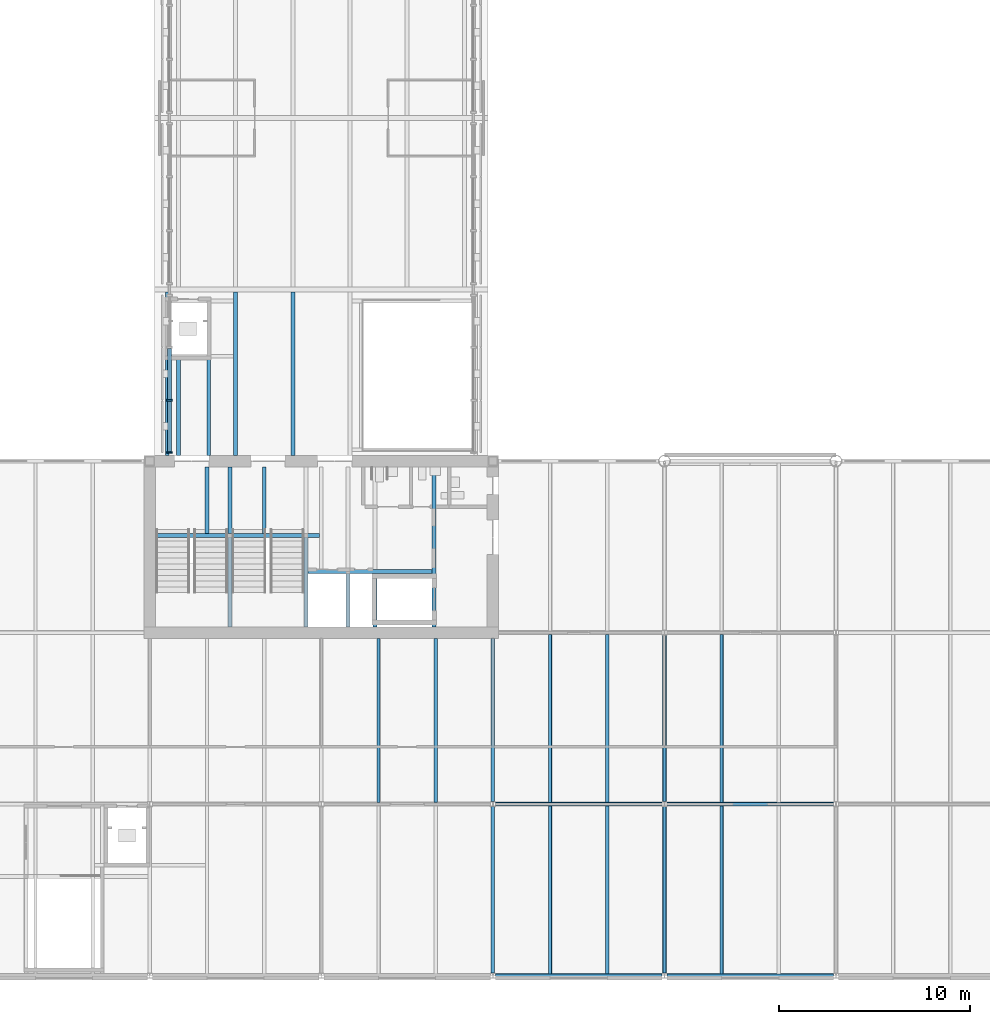
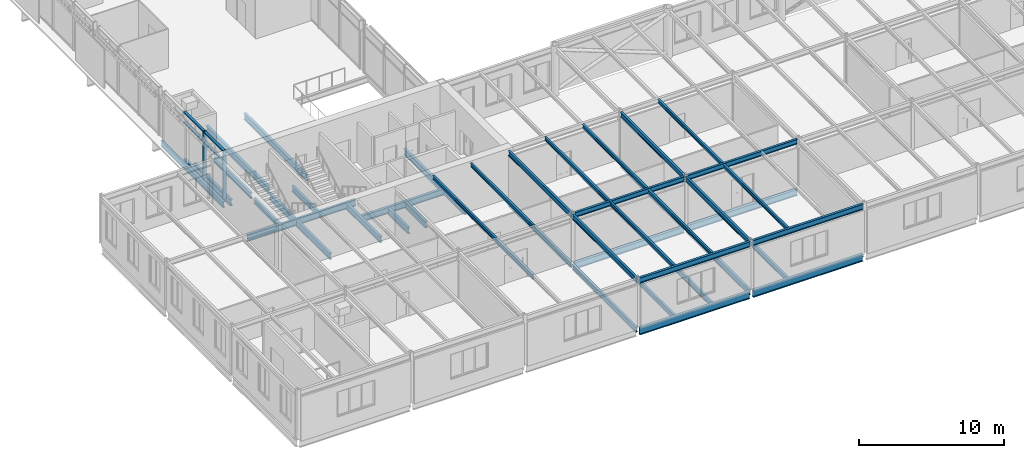
# One storey, part 23 of 123: 46 beams, 8 members, 1 element without a shape of its own.
"""IFC4 building model written with IfcOpenShell, lengths in metres."""

from ifc_helpers import new_model, si_unit, direction, frame, origin, origin_2d, place, context, subcontext, project, spatial, rectangle, i_section, extrude, material, material_profile, profile_set, type_object, element, aggregate, save


model = new_model("IFC4")

# Units and contexts
model_context = context("Model", 3, precision=1e-05, world=origin(), true_north=direction((0.0, 1.0)))
body_context = subcontext(model_context, "Body", "Model", "MODEL_VIEW")
ifc_project = project(units=[si_unit("LENGTHUNIT", "METRE"), si_unit("AREAUNIT", "SQUARE_METRE"), si_unit("VOLUMEUNIT", "CUBIC_METRE"), si_unit("PLANEANGLEUNIT", "RADIAN"), si_unit("MASSUNIT", "GRAM", prefix="KILO")], contexts=[model_context])

# Site, building, storey
site_placement = place(None, origin())
site = spatial("IfcSite", under=ifc_project, at=site_placement, CompositionType="ELEMENT")
building_placement = place(site_placement, origin())
building = spatial("IfcBuilding", under=site, at=building_placement, Name="Baradari Gate Terminus", CompositionType="ELEMENT")
storey_placement = place(building_placement, frame((0.0, 0.0, 7.5)))
storey = spatial("IfcBuildingStorey", under=building, at=storey_placement, Name="L01", CompositionType="ELEMENT", Elevation=7.5)

# Beams
ifc_material_1 = material(Name="Steel S355", Category="steel")
ifc_material_profile_1 = material_profile(ifc_material_1, i_section(OverallWidth=0.19287109375, OverallDepth=0.46728515625, WebThickness=0.011474609375, FlangeThickness=0.01953125, FilletRadius=0.01025390625, at=origin_2d()), Name="UB 457x191x98")
ifc_profile_set_1 = profile_set([ifc_material_profile_1], Name="Steel S355")
beam_type_1 = type_object("IfcBeamType", Name="Concourse opening trimmer B19 UB 457x191x98", PredefinedType="BEAM", material=ifc_profile_set_1)
beam_1_placement = place(storey_placement, frame((72.904052734375, 36.300048828125, -0.363525390625), z_axis=(0.0, 1.0, 0.0), x_axis=(-1.0, 0.0, 0.0)))
element("IfcBeam", 1, at=beam_1_placement, inside=storey, type_object=beam_type_1, Name="Concourse opening trimmer B19 72.904:36.3-44.866 L01", PredefinedType="BEAM", context=body_context, shape_type="SweptSolid", body=[
    extrude(i_section(OverallWidth=0.19287109375, OverallDepth=0.46728515625, WebThickness=0.011474609375, FlangeThickness=0.01953125, FilletRadius=0.01025390625, at=origin_2d()), origin(), (0.0, 0.0, 1.0), 8.56591796875),
])
beam_2_placement = place(storey_placement, frame((75.095947265625, 36.300048828125, -0.363525390625), z_axis=(0.0, 1.0, 0.0), x_axis=(-1.0, 0.0, 0.0)))
element("IfcBeam", 2, at=beam_2_placement, inside=storey, type_object=beam_type_1, Name="Concourse opening trimmer B19 75.096:36.3-41.404 L01", PredefinedType="BEAM", context=body_context, shape_type="SweptSolid", body=[
    extrude(i_section(OverallWidth=0.19287109375, OverallDepth=0.46728515625, WebThickness=0.011474609375, FlangeThickness=0.01953125, FilletRadius=0.01025390625, at=origin_2d()), origin(), (0.0, 0.0, 1.0), 5.103515625),
])
ifc_material_2 = material(Name="Steel S355", Category="steel")
ifc_material_profile_2 = material_profile(ifc_material_2, i_section(OverallWidth=0.19140625, OverallDepth=0.4599609375, WebThickness=0.010009765625, FlangeThickness=0.01611328125, FilletRadius=0.01025390625, at=origin_2d()), Name="UB 457x191x82")
ifc_profile_set_2 = profile_set([ifc_material_profile_2], Name="Steel S355")
beam_type_2 = type_object("IfcBeamType", Name="Core floor beam B23 UB 457x191x82", PredefinedType="BEAM", material=ifc_profile_set_2)
for number, where, z_axis, x_axis, name in (
    (3, (75.0, 32.20458984375, -0.360107421875), (0.0, 1.0, 0.0), (-1.0, 0.0, 0.0), "Core floor beam B23 75:32.205-35.7 L01"),
    (4, (78.0, 32.20458984375, -0.360107421875), (0.0, 1.0, 0.0), (-1.0, 0.0, 0.0), "Core floor beam B23 78:32.205-35.7 L01"),
):
    element("IfcBeam", number, at=place(storey_placement, frame(where, z_axis=z_axis, x_axis=x_axis)), inside=storey, type_object=beam_type_2, Name=name, PredefinedType="BEAM", context=body_context, shape_type="SweptSolid", body=[
        extrude(i_section(OverallWidth=0.19140625, OverallDepth=0.4599609375, WebThickness=0.010009765625, FlangeThickness=0.01611328125, FilletRadius=0.01025390625, at=origin_2d()), origin(), (0.0, 0.0, 1.0), 3.495361328125),
    ])
ifc_material_3 = material(Name="Steel S355", Category="steel")
ifc_material_profile_3 = material_profile(ifc_material_3, i_section(OverallWidth=0.209228515625, OverallDepth=0.533203125, WebThickness=0.010009765625, FlangeThickness=0.015625, FilletRadius=0.0126953125, at=origin_2d()), Name="UB 533x210x92")
ifc_profile_set_3 = profile_set([ifc_material_profile_3], Name="Steel S355")
beam_type_3 = type_object("IfcBeamType", Name="Core floor trimmer beam B22 UB 533x210x92", PredefinedType="BEAM", material=ifc_profile_set_3)
beam_3_placement = place(storey_placement, frame((80.3046875, 30.199951171875, -0.396484375), z_axis=(1.0, 0.0, 0.0), x_axis=(0.0, 1.0, 0.0)))
element("IfcBeam", 5, at=beam_3_placement, inside=storey, type_object=beam_type_3, Name="Core floor trimmer beam B22 30.2:80.305-86.8 L01", PredefinedType="BEAM", context=body_context, shape_type="SweptSolid", body=[
    extrude(i_section(OverallWidth=0.209228515625, OverallDepth=0.533203125, WebThickness=0.010009765625, FlangeThickness=0.015625, FilletRadius=0.0126953125, at=origin_2d()), origin(), (0.0, 0.0, 1.0), 6.49560546875),
])
beam_4_placement = place(storey_placement, frame((72.300048828125, 32.10009765625, -0.396484375), z_axis=(1.0, 0.0, 0.0), x_axis=(0.0, 1.0, 0.0)))
element("IfcBeam", 6, at=beam_4_placement, inside=storey, type_object=beam_type_3, Name="Core floor trimmer beam B22 32.1:72.3-80.904 L01", PredefinedType="BEAM", context=body_context, shape_type="SweptSolid", body=[
    extrude(i_section(OverallWidth=0.209228515625, OverallDepth=0.533203125, WebThickness=0.010009765625, FlangeThickness=0.015625, FilletRadius=0.0126953125, at=origin_2d()), origin(), (0.0, 0.0, 1.0), 8.604248046875),
])
beam_5_placement = place(storey_placement, frame((86.905029296875, 27.300048828125, -0.396484375), z_axis=(0.0, 1.0, 0.0), x_axis=(-1.0, 0.0, 0.0)))
element("IfcBeam", 7, at=beam_5_placement, inside=storey, type_object=beam_type_3, Name="Core floor trimmer beam B22 86.905:27.3-35.7 L01", PredefinedType="BEAM", context=body_context, shape_type="SweptSolid", body=[
    extrude(i_section(OverallWidth=0.209228515625, OverallDepth=0.533203125, WebThickness=0.010009765625, FlangeThickness=0.015625, FilletRadius=0.0126953125, at=origin_2d()), origin(), (0.0, 0.0, 1.0), 8.39990234375),
])
for number, where, z_axis, x_axis, name in (
    (8, (82.39990234375, 27.300048828125, -0.396484375), (0.0, 1.0, 0.0), (-1.0, 0.0, 0.0), "Core floor trimmer beam B22 82.4:27.3-30.095 L01"),
    (9, (83.800048828125, 27.300048828125, -0.396484375), (0.0, 1.0, 0.0), (-1.0, 0.0, 0.0), "Core floor trimmer beam B22 83.8:27.3-30.095 L01"),
):
    element("IfcBeam", number, at=place(storey_placement, frame(where, z_axis=z_axis, x_axis=x_axis)), inside=storey, type_object=beam_type_3, Name=name, PredefinedType="BEAM", context=body_context, shape_type="SweptSolid", body=[
        extrude(i_section(OverallWidth=0.209228515625, OverallDepth=0.533203125, WebThickness=0.010009765625, FlangeThickness=0.015625, FilletRadius=0.0126953125, at=origin_2d()), origin(), (0.0, 0.0, 1.0), 2.795166015625),
    ])
beam_6_placement = place(storey_placement, frame((76.199951171875, 27.300048828125, -0.396484375), z_axis=(0.0, 1.0, 0.0), x_axis=(-1.0, 0.0, 0.0)))
element("IfcBeam", 10, at=beam_6_placement, inside=storey, type_object=beam_type_3, Name="Core floor trimmer beam B22 76.2:27.3-31.995 L01", PredefinedType="BEAM", context=body_context, shape_type="SweptSolid", body=[
    extrude(i_section(OverallWidth=0.209228515625, OverallDepth=0.533203125, WebThickness=0.010009765625, FlangeThickness=0.015625, FilletRadius=0.0126953125, at=origin_2d()), origin(), (0.0, 0.0, 1.0), 4.6953125),
])
beam_7_placement = place(storey_placement, frame((76.199951171875, 32.20458984375, -0.396484375), z_axis=(0.0, 1.0, 0.0), x_axis=(-1.0, 0.0, 0.0)))
element("IfcBeam", 11, at=beam_7_placement, inside=storey, type_object=beam_type_3, Name="Core floor trimmer beam B22 76.2:32.205-35.7 L01", PredefinedType="BEAM", context=body_context, shape_type="SweptSolid", body=[
    extrude(i_section(OverallWidth=0.209228515625, OverallDepth=0.533203125, WebThickness=0.010009765625, FlangeThickness=0.015625, FilletRadius=0.0126953125, at=origin_2d()), origin(), (0.0, 0.0, 1.0), 3.495361328125),
])
beam_8_placement = place(storey_placement, frame((80.199951171875, 27.300048828125, -0.396484375), z_axis=(0.0, 1.0, 0.0), x_axis=(-1.0, 0.0, 0.0)))
element("IfcBeam", 12, at=beam_8_placement, inside=storey, type_object=beam_type_3, Name="Core floor trimmer beam B22 80.2:27.3-31.995 L01", PredefinedType="BEAM", context=body_context, shape_type="SweptSolid", body=[
    extrude(i_section(OverallWidth=0.209228515625, OverallDepth=0.533203125, WebThickness=0.010009765625, FlangeThickness=0.015625, FilletRadius=0.0126953125, at=origin_2d()), origin(), (0.0, 0.0, 1.0), 4.6953125),
])

# Curtain wall, members
ifc_material_4 = material(Name="Aluminium 6063-T6", Category="aluminium")
curtain_wall_type = type_object("IfcCurtainWallType", Name="Curtain wall CW-14 concourse bridge glazing", PredefinedType="NOTDEFINED", material=ifc_material_4)
curtain_wall_placement = place(storey_placement, origin())
curtain_wall = element("IfcCurtainWall", 13, at=curtain_wall_placement, inside=storey, type_object=curtain_wall_type, Name="Curtain wall CW-3 gate west face L01 bay 1", PredefinedType="NOTDEFINED")
ifc_material_5 = material(Name="Aluminium 6063-T6", Category="aluminium")
ifc_material_profile_4 = material_profile(ifc_material_5, rectangle(XDim=0.27490234375, YDim=0.10009765625, at=origin_2d()), Name="CM-14 100X275")
ifc_profile_set_4 = profile_set([ifc_material_profile_4], Name="Aluminium 6063-T6")
member_type_1 = type_object("IfcMemberType", Name="Curtain wall mullion CM-14 100x275", PredefinedType="MULLION", material=ifc_profile_set_4)
member_1_placement = place(storey_placement, frame((73.02490234375, 36.449951171875, 0.0), z_axis=(0.0, 0.0, 1.0), x_axis=(-1.0, 0.0, 0.0)))
member_1 = element("IfcMember", 14, at=member_1_placement, type_object=member_type_1, Name="CW-14 mullion 1", PredefinedType="MULLION", context=body_context, shape_type="SweptSolid", body=[
    extrude(rectangle(XDim=0.27490234375, YDim=0.10009765625, at=origin_2d()), origin(), (0.0, 0.0, 1.0), 4.050048828125),
])
member_2_placement = place(storey_placement, frame((73.02490234375, 39.183349609375, 0.0), z_axis=(0.0, 0.0, 1.0), x_axis=(-1.0, 0.0, 0.0)))
member_2 = element("IfcMember", 15, at=member_2_placement, type_object=member_type_1, Name="CW-14 mullion 2", PredefinedType="MULLION", context=body_context, shape_type="SweptSolid", body=[
    extrude(rectangle(XDim=0.27490234375, YDim=0.10009765625, at=origin_2d()), origin(), (0.0, 0.0, 1.0), 4.050048828125),
])
ifc_material_6 = material(Name="Aluminium 6063-T6", Category="aluminium")
ifc_material_profile_5 = material_profile(ifc_material_6, rectangle(XDim=0.199951171875, YDim=0.10009765625, at=origin_2d()), Name="CT-14 100X200")
ifc_profile_set_5 = profile_set([ifc_material_profile_5], Name="Aluminium 6063-T6")
member_type_2 = type_object("IfcMemberType", Name="Curtain wall transom CT-14 100x200", PredefinedType="USERDEFINED", material=ifc_profile_set_5)
member_3_placement = place(storey_placement, frame((73.02490234375, 36.5, 0.050048828125), z_axis=(0.0, 1.0, 0.0), x_axis=(-1.0, 0.0, 0.0)))
member_3 = element("IfcMember", 16, at=member_3_placement, type_object=member_type_2, Name="CW-14 transom 1.1", ObjectType="TRANSOM", PredefinedType="USERDEFINED", context=body_context, shape_type="SweptSolid", body=[
    extrude(rectangle(XDim=0.199951171875, YDim=0.10009765625, at=origin_2d()), origin(), (0.0, 0.0, 1.0), 2.63330078125),
])
member_4_placement = place(storey_placement, frame((73.02490234375, 36.5, 3.14990234375), z_axis=(0.0, 1.0, 0.0), x_axis=(-1.0, 0.0, 0.0)))
member_4 = element("IfcMember", 17, at=member_4_placement, type_object=member_type_2, Name="CW-14 transom 1.2", ObjectType="TRANSOM", PredefinedType="USERDEFINED", context=body_context, shape_type="SweptSolid", body=[
    extrude(rectangle(XDim=0.199951171875, YDim=0.10009765625, at=origin_2d()), origin(), (0.0, 0.0, 1.0), 2.63330078125),
])
member_5_placement = place(storey_placement, frame((73.02490234375, 36.5, 4.0), z_axis=(0.0, 1.0, 0.0), x_axis=(-1.0, 0.0, 0.0)))
member_5 = element("IfcMember", 18, at=member_5_placement, type_object=member_type_2, Name="CW-14 transom 1.3", ObjectType="TRANSOM", PredefinedType="USERDEFINED", context=body_context, shape_type="SweptSolid", body=[
    extrude(rectangle(XDim=0.199951171875, YDim=0.10009765625, at=origin_2d()), origin(), (0.0, 0.0, 1.0), 2.63330078125),
])
member_6_placement = place(storey_placement, frame((73.02490234375, 39.2333984375, 0.050048828125), z_axis=(0.0, 1.0, 0.0), x_axis=(-1.0, 0.0, 0.0)))
member_6 = element("IfcMember", 19, at=member_6_placement, type_object=member_type_2, Name="CW-14 transom 2.1", ObjectType="TRANSOM", PredefinedType="USERDEFINED", context=body_context, shape_type="SweptSolid", body=[
    extrude(rectangle(XDim=0.199951171875, YDim=0.10009765625, at=origin_2d()), origin(), (0.0, 0.0, 1.0), 2.683349609375),
])
member_7_placement = place(storey_placement, frame((73.02490234375, 39.2333984375, 3.14990234375), z_axis=(0.0, 1.0, 0.0), x_axis=(-1.0, 0.0, 0.0)))
member_7 = element("IfcMember", 20, at=member_7_placement, type_object=member_type_2, Name="CW-14 transom 2.2", ObjectType="TRANSOM", PredefinedType="USERDEFINED", context=body_context, shape_type="SweptSolid", body=[
    extrude(rectangle(XDim=0.199951171875, YDim=0.10009765625, at=origin_2d()), origin(), (0.0, 0.0, 1.0), 2.683349609375),
])
member_8_placement = place(storey_placement, frame((73.02490234375, 39.2333984375, 4.0), z_axis=(0.0, 1.0, 0.0), x_axis=(-1.0, 0.0, 0.0)))
member_8 = element("IfcMember", 21, at=member_8_placement, type_object=member_type_2, Name="CW-14 transom 2.3", ObjectType="TRANSOM", PredefinedType="USERDEFINED", context=body_context, shape_type="SweptSolid", body=[
    extrude(rectangle(XDim=0.199951171875, YDim=0.10009765625, at=origin_2d()), origin(), (0.0, 0.0, 1.0), 2.683349609375),
])
aggregate(curtain_wall, [member_1, member_2, member_3, member_4, member_5, member_6, member_7, member_8])

# Beams
ifc_material_7 = material(Name="Steel S355", Category="steel")
ifc_material_profile_6 = material_profile(ifc_material_7, i_section(OverallWidth=0.210693359375, OverallDepth=0.53955078125, WebThickness=0.01171875, FlangeThickness=0.018798828125, FilletRadius=0.0126953125, at=origin_2d()), Name="UB 533x210x109")
ifc_profile_set_6 = profile_set([ifc_material_profile_6], Name="Steel S355")
beam_type_4 = type_object("IfcBeamType", Name="Gate concourse secondary beam B21 UB 533x210x109", PredefinedType="BEAM", material=ifc_profile_set_6)
beam_9_placement = place(storey_placement, frame((73.5, 36.300048828125, -0.399658203125), z_axis=(0.0, 1.0, 0.0), x_axis=(-1.0, 0.0, 0.0)))
element("IfcBeam", 22, at=beam_9_placement, inside=storey, type_object=beam_type_4, Name="Gate concourse secondary beam B21 73.5:36.3-41.404 L01", PredefinedType="BEAM", context=body_context, shape_type="SweptSolid", body=[
    extrude(i_section(OverallWidth=0.210693359375, OverallDepth=0.53955078125, WebThickness=0.01171875, FlangeThickness=0.018798828125, FilletRadius=0.0126953125, at=origin_2d()), origin(), (0.0, 0.0, 1.0), 5.103515625),
])
for number, where, z_axis, x_axis, name in (
    (23, (76.5, 36.300048828125, -0.399658203125), (0.0, 1.0, 0.0), (-1.0, 0.0, 0.0), "Gate concourse secondary beam B21 76.5:36.3-44.866 L01"),
    (24, (79.5, 36.300048828125, -0.399658203125), (0.0, 1.0, 0.0), (-1.0, 0.0, 0.0), "Gate concourse secondary beam B21 79.5:36.3-44.866 L01"),
):
    element("IfcBeam", number, at=place(storey_placement, frame(where, z_axis=z_axis, x_axis=x_axis)), inside=storey, type_object=beam_type_4, Name=name, PredefinedType="BEAM", context=body_context, shape_type="SweptSolid", body=[
        extrude(i_section(OverallWidth=0.210693359375, OverallDepth=0.53955078125, WebThickness=0.01171875, FlangeThickness=0.018798828125, FilletRadius=0.0126953125, at=origin_2d()), origin(), (0.0, 0.0, 1.0), 8.56591796875),
    ])
ifc_material_8 = material(Name="Steel S355", Category="steel")
ifc_material_profile_7 = material_profile(ifc_material_8, i_section(OverallWidth=0.19140625, OverallDepth=0.4599609375, WebThickness=0.010009765625, FlangeThickness=0.01611328125, FilletRadius=0.01025390625, at=origin_2d()), Name="UB 457x191x82")
ifc_profile_set_7 = profile_set([ifc_material_profile_7], Name="Steel S355")
beam_type_5 = type_object("IfcBeamType", Name="South wing cross girder B18 UB 457x191x82", PredefinedType="BEAM", material=ifc_profile_set_7)
beam_10_placement = place(storey_placement, frame((90.0, 9.127197265625, -0.360107421875), z_axis=(0.0, 1.0, 0.0), x_axis=(-1.0, 0.0, 0.0)))
element("IfcBeam", 25, at=beam_10_placement, inside=storey, type_object=beam_type_5, Name="South wing cross girder B18 11:9.127-17.87 L01", PredefinedType="BEAM", context=body_context, shape_type="SweptSolid", body=[
    extrude(i_section(OverallWidth=0.19140625, OverallDepth=0.4599609375, WebThickness=0.010009765625, FlangeThickness=0.01611328125, FilletRadius=0.01025390625, at=origin_2d()), origin(), (0.0, 0.0, 1.0), 8.74267578125),
])
beam_11_placement = place(storey_placement, frame((90.0, 18.130126953125, -0.360107421875), z_axis=(0.0, 1.0, 0.0), x_axis=(-1.0, 0.0, 0.0)))
element("IfcBeam", 26, at=beam_11_placement, inside=storey, type_object=beam_type_5, Name="South wing cross girder B18 11:18.13-26.7 L01", PredefinedType="BEAM", context=body_context, shape_type="SweptSolid", body=[
    extrude(i_section(OverallWidth=0.19140625, OverallDepth=0.4599609375, WebThickness=0.010009765625, FlangeThickness=0.01611328125, FilletRadius=0.01025390625, at=origin_2d()), origin(), (0.0, 0.0, 1.0), 8.56982421875),
])
beam_12_placement = place(storey_placement, frame((99.0, 9.127197265625, -0.360107421875), z_axis=(0.0, 1.0, 0.0), x_axis=(-1.0, 0.0, 0.0)))
element("IfcBeam", 27, at=beam_12_placement, inside=storey, type_object=beam_type_5, Name="South wing cross girder B18 12:9.127-17.87 L01", PredefinedType="BEAM", context=body_context, shape_type="SweptSolid", body=[
    extrude(i_section(OverallWidth=0.19140625, OverallDepth=0.4599609375, WebThickness=0.010009765625, FlangeThickness=0.01611328125, FilletRadius=0.01025390625, at=origin_2d()), origin(), (0.0, 0.0, 1.0), 8.74267578125),
])
beam_13_placement = place(storey_placement, frame((99.0, 18.130126953125, -0.360107421875), z_axis=(0.0, 1.0, 0.0), x_axis=(-1.0, 0.0, 0.0)))
element("IfcBeam", 28, at=beam_13_placement, inside=storey, type_object=beam_type_5, Name="South wing cross girder B18 12:18.13-26.87 L01", PredefinedType="BEAM", context=body_context, shape_type="SweptSolid", body=[
    extrude(i_section(OverallWidth=0.19140625, OverallDepth=0.4599609375, WebThickness=0.010009765625, FlangeThickness=0.01611328125, FilletRadius=0.01025390625, at=origin_2d()), origin(), (0.0, 0.0, 1.0), 8.73974609375),
])
ifc_material_9 = material(Name="Steel S355", Category="steel")
ifc_material_profile_8 = material_profile(ifc_material_9, i_section(OverallWidth=0.2275390625, OverallDepth=0.6025390625, WebThickness=0.010498046875, FlangeThickness=0.014892578125, FilletRadius=0.0126953125, at=origin_2d()), Name="UB 610x229x101")
ifc_profile_set_8 = profile_set([ifc_material_profile_8], Name="Steel S355")
beam_type_6 = type_object("IfcBeamType", Name="South wing edge girder B14 UB 610x229x101", PredefinedType="BEAM", material=ifc_profile_set_8)
for number, where, z_axis, x_axis, name in (
    (29, (90.127197265625, 9.0, -0.431396484375), (1.0, 0.0, 0.0), (0.0, 1.0, 0.0), "South wing edge girder B14 B:90.127-98.873 L01"),
    (30, (99.127197265625, 9.0, -0.431396484375), (1.0, 0.0, 0.0), (0.0, 1.0, 0.0), "South wing edge girder B14 B:99.127-107.873 L01"),
):
    element("IfcBeam", number, at=place(storey_placement, frame(where, z_axis=z_axis, x_axis=x_axis)), inside=storey, type_object=beam_type_6, Name=name, PredefinedType="BEAM", context=body_context, shape_type="SweptSolid", body=[
        extrude(i_section(OverallWidth=0.2275390625, OverallDepth=0.6025390625, WebThickness=0.010498046875, FlangeThickness=0.014892578125, FilletRadius=0.0126953125, at=origin_2d()), origin(), (0.0, 0.0, 1.0), 8.74560546875),
    ])
ifc_material_10 = material(Name="Steel S355", Category="steel")
ifc_material_profile_9 = material_profile(ifc_material_10, i_section(OverallWidth=0.210693359375, OverallDepth=0.53955078125, WebThickness=0.01171875, FlangeThickness=0.018798828125, FilletRadius=0.0126953125, at=origin_2d()), Name="UB 533x210x109")
ifc_profile_set_9 = profile_set([ifc_material_profile_9], Name="Steel S355")
beam_type_7 = type_object("IfcBeamType", Name="South wing girder B16 UB 533x210x109", PredefinedType="BEAM", material=ifc_profile_set_9)
for number, where, z_axis, x_axis, name in (
    (31, (90.128173828125, 18.0, -0.399658203125), (1.0, 0.0, 0.0), (0.0, 1.0, 0.0), "South wing girder B16 C:90.128-98.872 L01"),
    (32, (99.128173828125, 18.0, -0.399658203125), (1.0, 0.0, 0.0), (0.0, 1.0, 0.0), "South wing girder B16 C:99.128-107.872 L01"),
):
    element("IfcBeam", number, at=place(storey_placement, frame(where, z_axis=z_axis, x_axis=x_axis)), inside=storey, type_object=beam_type_7, Name=name, PredefinedType="BEAM", context=body_context, shape_type="SweptSolid", body=[
        extrude(i_section(OverallWidth=0.210693359375, OverallDepth=0.53955078125, WebThickness=0.01171875, FlangeThickness=0.018798828125, FilletRadius=0.0126953125, at=origin_2d()), origin(), (0.0, 0.0, 1.0), 8.74365234375),
    ])
ifc_material_11 = material(Name="Steel S355", Category="steel")
ifc_material_profile_10 = material_profile(ifc_material_11, i_section(OverallWidth=0.18994140625, OverallDepth=0.453369140625, WebThickness=0.008544921875, FlangeThickness=0.0126953125, FilletRadius=0.01025390625, at=origin_2d()), Name="UB 457x191x67")
ifc_profile_set_10 = profile_set([ifc_material_profile_10], Name="Steel S355")
beam_type_8 = type_object("IfcBeamType", Name="South wing roof edge girder B53 UB 457x191x67", PredefinedType="BEAM", material=ifc_profile_set_10)
for number, where, z_axis, x_axis, name in (
    (33, (90.127197265625, 9.0, 3.8232421875), (1.0, 0.0, 0.0), (0.0, 1.0, 0.0), "South wing roof edge girder B53 B:90.127-98.873 L01"),
    (34, (99.127197265625, 9.0, 3.8232421875), (1.0, 0.0, 0.0), (0.0, 1.0, 0.0), "South wing roof edge girder B53 B:99.127-107.873 L01"),
):
    element("IfcBeam", number, at=place(storey_placement, frame(where, z_axis=z_axis, x_axis=x_axis)), inside=storey, type_object=beam_type_8, Name=name, PredefinedType="BEAM", context=body_context, shape_type="SweptSolid", body=[
        extrude(i_section(OverallWidth=0.18994140625, OverallDepth=0.453369140625, WebThickness=0.008544921875, FlangeThickness=0.0126953125, FilletRadius=0.01025390625, at=origin_2d()), origin(), (0.0, 0.0, 1.0), 8.74560546875),
    ])
ifc_material_12 = material(Name="Steel S355", Category="steel")
ifc_material_profile_11 = material_profile(ifc_material_12, i_section(OverallWidth=0.177978515625, OverallDepth=0.406494140625, WebThickness=0.0078125, FlangeThickness=0.0126953125, FilletRadius=0.01025390625, at=origin_2d()), Name="UB 406x178x60")
ifc_profile_set_11 = profile_set([ifc_material_profile_11], Name="Steel S355")
beam_type_9 = type_object("IfcBeamType", Name="South wing roof girder B54 UB 406x178x60", PredefinedType="BEAM", material=ifc_profile_set_11)
for number, where, z_axis, x_axis, name in (
    (35, (90.128173828125, 18.0, 3.8466796875), (1.0, 0.0, 0.0), (0.0, 1.0, 0.0), "South wing roof girder B54 C:90.128-98.872 L01"),
    (36, (99.128173828125, 18.0, 3.8466796875), (1.0, 0.0, 0.0), (0.0, 1.0, 0.0), "South wing roof girder B54 C:99.128-107.872 L01"),
):
    element("IfcBeam", number, at=place(storey_placement, frame(where, z_axis=z_axis, x_axis=x_axis)), inside=storey, type_object=beam_type_9, Name=name, PredefinedType="BEAM", context=body_context, shape_type="SweptSolid", body=[
        extrude(i_section(OverallWidth=0.177978515625, OverallDepth=0.406494140625, WebThickness=0.0078125, FlangeThickness=0.0126953125, FilletRadius=0.01025390625, at=origin_2d()), origin(), (0.0, 0.0, 1.0), 8.74365234375),
    ])
beam_14_placement = place(storey_placement, frame((90.0, 9.127197265625, 3.8466796875), z_axis=(0.0, 1.0, 0.0), x_axis=(-1.0, 0.0, 0.0)))
element("IfcBeam", 37, at=beam_14_placement, inside=storey, type_object=beam_type_9, Name="South wing roof girder B54 11:9.127-17.87 L01", PredefinedType="BEAM", context=body_context, shape_type="SweptSolid", body=[
    extrude(i_section(OverallWidth=0.177978515625, OverallDepth=0.406494140625, WebThickness=0.0078125, FlangeThickness=0.0126953125, FilletRadius=0.01025390625, at=origin_2d()), origin(), (0.0, 0.0, 1.0), 8.74267578125),
])
beam_15_placement = place(storey_placement, frame((90.0, 18.130126953125, 3.8466796875), z_axis=(0.0, 1.0, 0.0), x_axis=(-1.0, 0.0, 0.0)))
element("IfcBeam", 38, at=beam_15_placement, inside=storey, type_object=beam_type_9, Name="South wing roof girder B54 11:18.13-26.7 L01", PredefinedType="BEAM", context=body_context, shape_type="SweptSolid", body=[
    extrude(i_section(OverallWidth=0.177978515625, OverallDepth=0.406494140625, WebThickness=0.0078125, FlangeThickness=0.0126953125, FilletRadius=0.01025390625, at=origin_2d()), origin(), (0.0, 0.0, 1.0), 8.56982421875),
])
beam_16_placement = place(storey_placement, frame((99.0, 9.127197265625, 3.8466796875), z_axis=(0.0, 1.0, 0.0), x_axis=(-1.0, 0.0, 0.0)))
element("IfcBeam", 39, at=beam_16_placement, inside=storey, type_object=beam_type_9, Name="South wing roof girder B54 12:9.127-17.87 L01", PredefinedType="BEAM", context=body_context, shape_type="SweptSolid", body=[
    extrude(i_section(OverallWidth=0.177978515625, OverallDepth=0.406494140625, WebThickness=0.0078125, FlangeThickness=0.0126953125, FilletRadius=0.01025390625, at=origin_2d()), origin(), (0.0, 0.0, 1.0), 8.74267578125),
])
beam_17_placement = place(storey_placement, frame((99.0, 18.130126953125, 3.8466796875), z_axis=(0.0, 1.0, 0.0), x_axis=(-1.0, 0.0, 0.0)))
element("IfcBeam", 40, at=beam_17_placement, inside=storey, type_object=beam_type_9, Name="South wing roof girder B54 12:18.13-26.87 L01", PredefinedType="BEAM", context=body_context, shape_type="SweptSolid", body=[
    extrude(i_section(OverallWidth=0.177978515625, OverallDepth=0.406494140625, WebThickness=0.0078125, FlangeThickness=0.0126953125, FilletRadius=0.01025390625, at=origin_2d()), origin(), (0.0, 0.0, 1.0), 8.73974609375),
])
ifc_material_13 = material(Name="Steel S355", Category="steel")
ifc_material_profile_12 = material_profile(ifc_material_13, i_section(OverallWidth=0.1650390625, OverallDepth=0.303466796875, WebThickness=0.006103515625, FlangeThickness=0.01025390625, FilletRadius=0.0087890625, at=origin_2d()), Name="UB 305x165x40")
ifc_profile_set_12 = profile_set([ifc_material_profile_12], Name="Steel S355")
beam_type_10 = type_object("IfcBeamType", Name="South wing roof secondary beam B55 UB 305x165x40", PredefinedType="BEAM", material=ifc_profile_set_12)
for number, where, z_axis, x_axis, name in (
    (41, (84.0, 18.089111328125, 3.898193359375), (0.0, 1.0, 0.0), (-1.0, 0.0, 0.0), "South wing roof secondary beam B55 84:18.089-26.7 L01"),
    (42, (87.0, 18.089111328125, 3.898193359375), (0.0, 1.0, 0.0), (-1.0, 0.0, 0.0), "South wing roof secondary beam B55 87:18.089-26.7 L01"),
):
    element("IfcBeam", number, at=place(storey_placement, frame(where, z_axis=z_axis, x_axis=x_axis)), inside=storey, type_object=beam_type_10, Name=name, PredefinedType="BEAM", context=body_context, shape_type="SweptSolid", body=[
        extrude(i_section(OverallWidth=0.1650390625, OverallDepth=0.303466796875, WebThickness=0.006103515625, FlangeThickness=0.01025390625, FilletRadius=0.0087890625, at=origin_2d()), origin(), (0.0, 0.0, 1.0), 8.61083984375),
    ])
beam_18_placement = place(storey_placement, frame((93.0, 9.094970703125, 3.898193359375), z_axis=(0.0, 1.0, 0.0), x_axis=(-1.0, 0.0, 0.0)))
element("IfcBeam", 43, at=beam_18_placement, inside=storey, type_object=beam_type_10, Name="South wing roof secondary beam B55 93:9.095-17.911 L01", PredefinedType="BEAM", context=body_context, shape_type="SweptSolid", body=[
    extrude(i_section(OverallWidth=0.1650390625, OverallDepth=0.303466796875, WebThickness=0.006103515625, FlangeThickness=0.01025390625, FilletRadius=0.0087890625, at=origin_2d()), origin(), (0.0, 0.0, 1.0), 8.81591796875),
])
beam_19_placement = place(storey_placement, frame((93.0, 18.089111328125, 3.898193359375), z_axis=(0.0, 1.0, 0.0), x_axis=(-1.0, 0.0, 0.0)))
element("IfcBeam", 44, at=beam_19_placement, inside=storey, type_object=beam_type_10, Name="South wing roof secondary beam B55 93:18.089-26.911 L01", PredefinedType="BEAM", context=body_context, shape_type="SweptSolid", body=[
    extrude(i_section(OverallWidth=0.1650390625, OverallDepth=0.303466796875, WebThickness=0.006103515625, FlangeThickness=0.01025390625, FilletRadius=0.0087890625, at=origin_2d()), origin(), (0.0, 0.0, 1.0), 8.82177734375),
])
beam_20_placement = place(storey_placement, frame((96.0, 9.094970703125, 3.898193359375), z_axis=(0.0, 1.0, 0.0), x_axis=(-1.0, 0.0, 0.0)))
element("IfcBeam", 45, at=beam_20_placement, inside=storey, type_object=beam_type_10, Name="South wing roof secondary beam B55 96:9.095-17.911 L01", PredefinedType="BEAM", context=body_context, shape_type="SweptSolid", body=[
    extrude(i_section(OverallWidth=0.1650390625, OverallDepth=0.303466796875, WebThickness=0.006103515625, FlangeThickness=0.01025390625, FilletRadius=0.0087890625, at=origin_2d()), origin(), (0.0, 0.0, 1.0), 8.81591796875),
])
beam_21_placement = place(storey_placement, frame((96.0, 18.089111328125, 3.898193359375), z_axis=(0.0, 1.0, 0.0), x_axis=(-1.0, 0.0, 0.0)))
element("IfcBeam", 46, at=beam_21_placement, inside=storey, type_object=beam_type_10, Name="South wing roof secondary beam B55 96:18.089-26.911 L01", PredefinedType="BEAM", context=body_context, shape_type="SweptSolid", body=[
    extrude(i_section(OverallWidth=0.1650390625, OverallDepth=0.303466796875, WebThickness=0.006103515625, FlangeThickness=0.01025390625, FilletRadius=0.0087890625, at=origin_2d()), origin(), (0.0, 0.0, 1.0), 8.82177734375),
])
beam_22_placement = place(storey_placement, frame((102.0, 9.094970703125, 3.898193359375), z_axis=(0.0, 1.0, 0.0), x_axis=(-1.0, 0.0, 0.0)))
element("IfcBeam", 47, at=beam_22_placement, inside=storey, type_object=beam_type_10, Name="South wing roof secondary beam B55 102:9.095-17.911 L01", PredefinedType="BEAM", context=body_context, shape_type="SweptSolid", body=[
    extrude(i_section(OverallWidth=0.1650390625, OverallDepth=0.303466796875, WebThickness=0.006103515625, FlangeThickness=0.01025390625, FilletRadius=0.0087890625, at=origin_2d()), origin(), (0.0, 0.0, 1.0), 8.81591796875),
])
beam_23_placement = place(storey_placement, frame((102.0, 18.089111328125, 3.898193359375), z_axis=(0.0, 1.0, 0.0), x_axis=(-1.0, 0.0, 0.0)))
element("IfcBeam", 48, at=beam_23_placement, inside=storey, type_object=beam_type_10, Name="South wing roof secondary beam B55 102:18.089-26.911 L01", PredefinedType="BEAM", context=body_context, shape_type="SweptSolid", body=[
    extrude(i_section(OverallWidth=0.1650390625, OverallDepth=0.303466796875, WebThickness=0.006103515625, FlangeThickness=0.01025390625, FilletRadius=0.0087890625, at=origin_2d()), origin(), (0.0, 0.0, 1.0), 8.82177734375),
])
ifc_material_14 = material(Name="Steel S355", Category="steel")
ifc_material_profile_13 = material_profile(ifc_material_14, i_section(OverallWidth=0.177978515625, OverallDepth=0.406494140625, WebThickness=0.0078125, FlangeThickness=0.0126953125, FilletRadius=0.01025390625, at=origin_2d()), Name="UB 406x178x60")
ifc_profile_set_13 = profile_set([ifc_material_profile_13], Name="Steel S355")
beam_type_11 = type_object("IfcBeamType", Name="South wing secondary beam B17 UB 406x178x60", PredefinedType="BEAM", material=ifc_profile_set_13)
beam_24_placement = place(storey_placement, frame((87.0, 18.10546875, -0.333251953125), z_axis=(0.0, 1.0, 0.0), x_axis=(-1.0, 0.0, 0.0)))
element("IfcBeam", 49, at=beam_24_placement, inside=storey, type_object=beam_type_11, Name="South wing secondary beam B17 87:18.105-26.7 L01", PredefinedType="BEAM", context=body_context, shape_type="SweptSolid", body=[
    extrude(i_section(OverallWidth=0.177978515625, OverallDepth=0.406494140625, WebThickness=0.0078125, FlangeThickness=0.0126953125, FilletRadius=0.01025390625, at=origin_2d()), origin(), (0.0, 0.0, 1.0), 8.594482421875),
])
beam_25_placement = place(storey_placement, frame((93.0, 9.11376953125, -0.333251953125), z_axis=(0.0, 1.0, 0.0), x_axis=(-1.0, 0.0, 0.0)))
element("IfcBeam", 50, at=beam_25_placement, inside=storey, type_object=beam_type_11, Name="South wing secondary beam B17 93:9.114-17.895 L01", PredefinedType="BEAM", context=body_context, shape_type="SweptSolid", body=[
    extrude(i_section(OverallWidth=0.177978515625, OverallDepth=0.406494140625, WebThickness=0.0078125, FlangeThickness=0.0126953125, FilletRadius=0.01025390625, at=origin_2d()), origin(), (0.0, 0.0, 1.0), 8.78076171875),
])
beam_26_placement = place(storey_placement, frame((93.0, 18.10546875, -0.333251953125), z_axis=(0.0, 1.0, 0.0), x_axis=(-1.0, 0.0, 0.0)))
element("IfcBeam", 51, at=beam_26_placement, inside=storey, type_object=beam_type_11, Name="South wing secondary beam B17 93:18.105-26.895 L01", PredefinedType="BEAM", context=body_context, shape_type="SweptSolid", body=[
    extrude(i_section(OverallWidth=0.177978515625, OverallDepth=0.406494140625, WebThickness=0.0078125, FlangeThickness=0.0126953125, FilletRadius=0.01025390625, at=origin_2d()), origin(), (0.0, 0.0, 1.0), 8.7890625),
])
beam_27_placement = place(storey_placement, frame((96.0, 9.11376953125, -0.333251953125), z_axis=(0.0, 1.0, 0.0), x_axis=(-1.0, 0.0, 0.0)))
element("IfcBeam", 52, at=beam_27_placement, inside=storey, type_object=beam_type_11, Name="South wing secondary beam B17 96:9.114-17.895 L01", PredefinedType="BEAM", context=body_context, shape_type="SweptSolid", body=[
    extrude(i_section(OverallWidth=0.177978515625, OverallDepth=0.406494140625, WebThickness=0.0078125, FlangeThickness=0.0126953125, FilletRadius=0.01025390625, at=origin_2d()), origin(), (0.0, 0.0, 1.0), 8.78076171875),
])
beam_28_placement = place(storey_placement, frame((96.0, 18.10546875, -0.333251953125), z_axis=(0.0, 1.0, 0.0), x_axis=(-1.0, 0.0, 0.0)))
element("IfcBeam", 53, at=beam_28_placement, inside=storey, type_object=beam_type_11, Name="South wing secondary beam B17 96:18.105-26.895 L01", PredefinedType="BEAM", context=body_context, shape_type="SweptSolid", body=[
    extrude(i_section(OverallWidth=0.177978515625, OverallDepth=0.406494140625, WebThickness=0.0078125, FlangeThickness=0.0126953125, FilletRadius=0.01025390625, at=origin_2d()), origin(), (0.0, 0.0, 1.0), 8.7890625),
])
beam_29_placement = place(storey_placement, frame((102.0, 9.11376953125, -0.333251953125), z_axis=(0.0, 1.0, 0.0), x_axis=(-1.0, 0.0, 0.0)))
element("IfcBeam", 54, at=beam_29_placement, inside=storey, type_object=beam_type_11, Name="South wing secondary beam B17 102:9.114-17.895 L01", PredefinedType="BEAM", context=body_context, shape_type="SweptSolid", body=[
    extrude(i_section(OverallWidth=0.177978515625, OverallDepth=0.406494140625, WebThickness=0.0078125, FlangeThickness=0.0126953125, FilletRadius=0.01025390625, at=origin_2d()), origin(), (0.0, 0.0, 1.0), 8.78076171875),
])
beam_30_placement = place(storey_placement, frame((102.0, 18.10546875, -0.333251953125), z_axis=(0.0, 1.0, 0.0), x_axis=(-1.0, 0.0, 0.0)))
element("IfcBeam", 55, at=beam_30_placement, inside=storey, type_object=beam_type_11, Name="South wing secondary beam B17 102:18.105-26.895 L01", PredefinedType="BEAM", context=body_context, shape_type="SweptSolid", body=[
    extrude(i_section(OverallWidth=0.177978515625, OverallDepth=0.406494140625, WebThickness=0.0078125, FlangeThickness=0.0126953125, FilletRadius=0.01025390625, at=origin_2d()), origin(), (0.0, 0.0, 1.0), 8.7890625),
])

save(model, "model.ifc")
